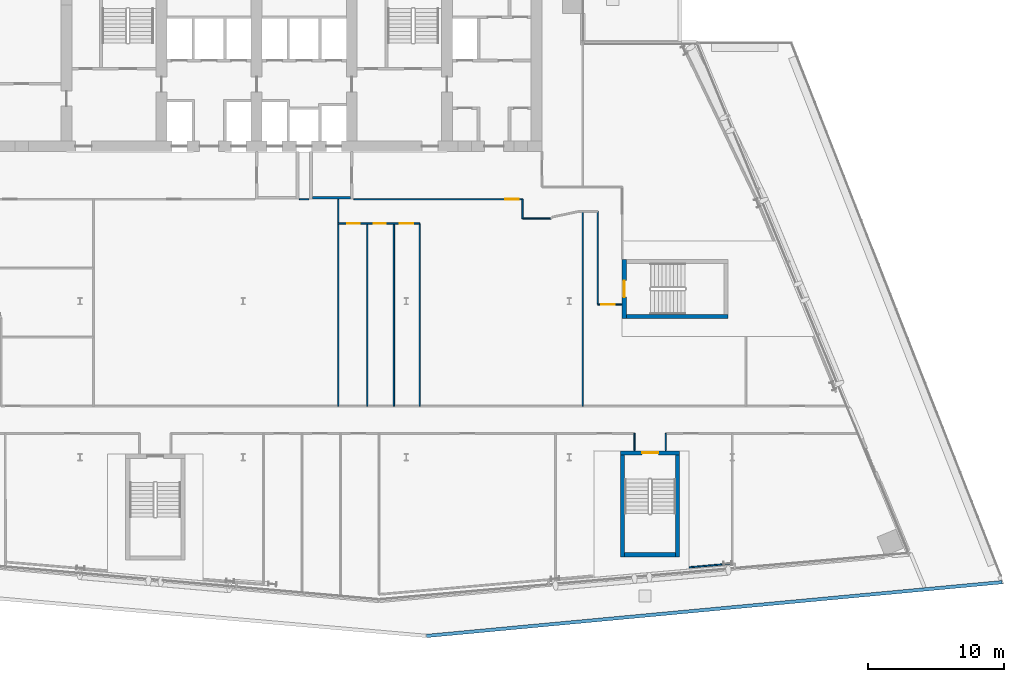
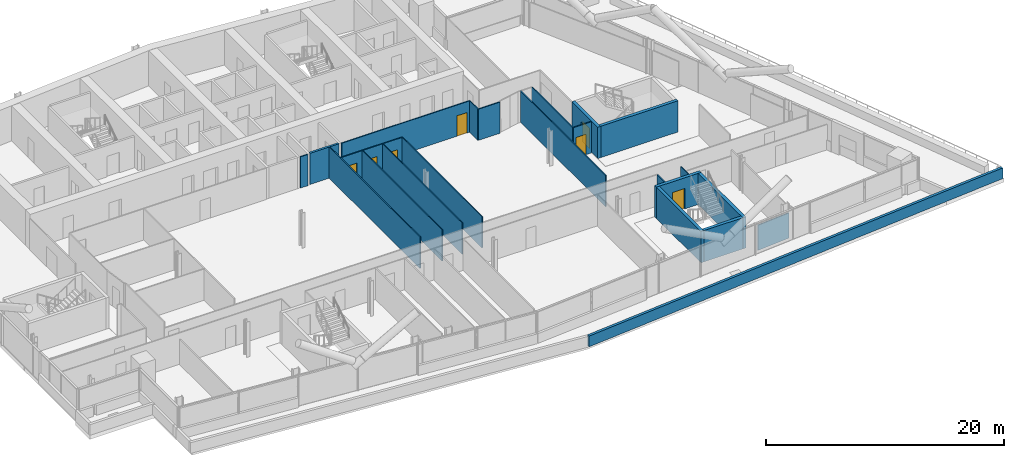
# One storey, part 18 of 30: 23 walls, 7 doors, 7 openings.
"""IFC4 building model written with IfcOpenShell, lengths in metres."""

from ifc_helpers import new_model, si_unit, direction, frame, frame_2d, origin, place, context, subcontext, project, spatial, rectangle, extrude, material, layer, layer_set, type_object, element, fill, save


model = new_model("IFC4")

# Units and contexts
model_context = context("Model", 3, precision=1e-05, world=origin(), true_north=direction((0.0, 1.0)))
body_context = subcontext(model_context, "Body", "Model", "MODEL_VIEW")
ifc_project = project(units=[si_unit("LENGTHUNIT", "METRE"), si_unit("AREAUNIT", "SQUARE_METRE"), si_unit("VOLUMEUNIT", "CUBIC_METRE"), si_unit("PLANEANGLEUNIT", "RADIAN"), si_unit("MASSUNIT", "GRAM", prefix="KILO")], contexts=[model_context])

# Site, building, storey
site_placement = place(None, origin())
site = spatial("IfcSite", under=ifc_project, at=site_placement, CompositionType="ELEMENT")
building_placement = place(site_placement, origin())
building = spatial("IfcBuilding", under=site, at=building_placement, Name="Wharfspan Tower", CompositionType="ELEMENT")
storey_placement = place(building_placement, frame((0.0, 0.0, 151.899902)))
storey = spatial("IfcBuildingStorey", under=building, at=storey_placement, Name="L36", CompositionType="ELEMENT", Elevation=151.899902)

# Walls
ifc_material_1 = material(Name="Gypsum board on steel studs", Category="steel")
ifc_layer_1 = layer(ifc_material_1, 0.100098)
ifc_layer_set_1 = layer_set([ifc_layer_1], Name="Gypsum board on steel studs")
wall_type_1 = type_object("IfcWallType", Name="Compartment wall 100 EI 60", PredefinedType="PARTITIONING", material=ifc_layer_set_1)
wall_1_placement = place(storey_placement, frame((43.0, 15.27002, 0.0), z_axis=(0.0, 0.0, 1.0), x_axis=(0.0, 1.0, 0.0)))
element("IfcWall", 1, at=wall_1_placement, inside=storey, type_object=wall_type_1, Name="Partition L36.w029", PredefinedType="PARTITIONING", context=body_context, shape_type="SweptSolid", body=[
    extrude(rectangle(XDim=15.219971, YDim=0.100098, at=frame_2d((7.609863, 0.0))), origin(), (0.0, 0.0, 1.0), 3.200195),
])
for number, where, z_axis, x_axis, name in (
    (2, (45.139893, 15.27002, 0.0), (0.0, 0.0, 1.0), (0.0, 1.0, 0.0), "Partition L36.w032"),
    (3, (47.100098, 15.27002, 0.0), (0.0, 0.0, 1.0), (0.0, 1.0, 0.0), "Partition L36.w035"),
    (4, (49.0, 15.27002, 0.0), (0.0, 0.0, 1.0), (0.0, 1.0, 0.0), "Partition L36.w036"),
):
    element("IfcWall", number, at=place(storey_placement, frame(where, z_axis=z_axis, x_axis=x_axis)), inside=storey, type_object=wall_type_1, Name=name, PredefinedType="PARTITIONING", context=body_context, shape_type="SweptSolid", body=[
        extrude(rectangle(XDim=13.429932, YDim=0.100098, at=frame_2d((6.714844, 0.0))), origin(), (0.0, 0.0, 1.0), 3.200195),
    ])
wall_2_placement = place(storey_placement, frame((56.574951, 29.074951, 0.0), z_axis=(0.0, 0.0, 1.0), x_axis=(0.0, 1.0, 0.0)))
element("IfcWall", 5, at=wall_2_placement, inside=storey, type_object=wall_type_1, Name="Partition L36.w037", PredefinedType="PARTITIONING", context=body_context, shape_type="SweptSolid", body=[
    extrude(rectangle(XDim=1.425049, YDim=0.100098, at=frame_2d((0.712402, 0.0))), origin(), (0.0, 0.0, 1.0), 3.200195),
])
wall_3_placement = place(storey_placement, frame((56.574951, 29.074951, 0.0), z_axis=(0.0, 0.0, 1.0), x_axis=(1.0, 0.0, 0.0)))
element("IfcWall", 6, at=wall_3_placement, inside=storey, type_object=wall_type_1, Name="Partition L36.w038", PredefinedType="PARTITIONING", context=body_context, shape_type="SweptSolid", body=[
    extrude(rectangle(XDim=2.080078, YDim=0.100098, at=frame_2d((1.040039, 0.0))), origin(), (0.0, 0.0, 1.0), 3.200195),
])
wall_4_placement = place(storey_placement, frame((61.0, 15.27002, 0.0), z_axis=(0.0, 0.0, 1.0), x_axis=(0.0, 1.0, 0.0)))
element("IfcWall", 7, at=wall_4_placement, inside=storey, type_object=wall_type_1, Name="Partition L36.w047", PredefinedType="PARTITIONING", context=body_context, shape_type="SweptSolid", body=[
    extrude(rectangle(XDim=14.330078, YDim=0.100098, at=frame_2d((7.165039, 0.0))), origin(), (0.0, 0.0, 1.0), 3.200195),
])
wall_5_placement = place(storey_placement, frame((62.10498, 22.75, 0.0), z_axis=(0.0, 0.0, 1.0), x_axis=(0.0, 1.0, 0.0)))
element("IfcWall", 8, at=wall_5_placement, inside=storey, type_object=wall_type_1, Name="Partition L36.w049", PredefinedType="PARTITIONING", context=body_context, shape_type="SweptSolid", body=[
    extrude(rectangle(XDim=6.850098, YDim=0.100098, at=frame_2d((3.425049, 0.0))), origin(), (0.0, 0.0, 1.0), 3.200195),
])

# Wall, opening, door
wall_6_placement = place(storey_placement, frame((62.10498, 22.75, 0.0), z_axis=(0.0, 0.0, 1.0), x_axis=(1.0, 0.0, 0.0)))
wall_6 = element("IfcWall", 9, at=wall_6_placement, inside=storey, type_object=wall_type_1, Name="Partition L36.w050", PredefinedType="PARTITIONING", context=body_context, shape_type="SweptSolid", body=[
    extrude(rectangle(XDim=1.779541, YDim=0.100098, at=frame_2d((0.889648, 0.0))), origin(), (0.0, 0.0, 1.0), 3.200195),
])
opening_1_placement = place(wall_6_placement, frame((0.25, 0.0, 0.0)))
opening_1 = element("IfcOpeningElement", 10, at=opening_1_placement, cuts=wall_6, Name="Opening C1-14", PredefinedType="OPENING", context=body_context, shape_type="SweptSolid", body=[
    extrude(rectangle(XDim=1.0, YDim=2.100098, at=frame_2d((0.5, 1.050049))), frame((0.0, 0.060059, 0.0), z_axis=(0.0, -1.0, 0.0), x_axis=(1.0, 0.0, 0.0)), (0.0, 0.0, 1.0), 0.120117),
])
ifc_material_2 = material(Name="Fire-rated timber door leaf in steel frame", Category="steel")
door_type_1 = type_object("IfcDoorType", Name="Door 1000 FD30S Left", OperationType="SINGLE_SWING_LEFT", PredefinedType="DOOR", material=ifc_material_2)
door_1_placement = place(opening_1_placement, origin())
door_1 = element("IfcDoor", 11, at=door_1_placement, inside=storey, type_object=door_type_1, Name="Door C1-14", OperationType="SINGLE_SWING_LEFT", OverallHeight=2.100098, OverallWidth=1.0, PredefinedType="DOOR", context=body_context, shape_type="SweptSolid", body=[
    extrude(rectangle(XDim=1.0, YDim=2.100098, at=frame_2d((0.5, 1.050049))), frame((0.0, 0.024902, 0.0), z_axis=(0.0, -1.0, 0.0), x_axis=(1.0, 0.0, 0.0)), (0.0, 0.0, 1.0), 0.050049),
])
fill(opening_1, door_1)

# Walls
for number, where, z_axis, x_axis, name in (
    (12, (64.810059, 12.003662, 0.0), (0.0, 0.0, 1.0), (0.0, 1.0, 0.0), "Partition L36.w052"),
    (13, (67.110107, 12.003662, 0.0), (0.0, 0.0, 1.0), (0.0, 1.0, 0.0), "Partition L36.w053"),
):
    element("IfcWall", number, at=place(storey_placement, frame(where, z_axis=z_axis, x_axis=x_axis)), inside=storey, type_object=wall_type_1, Name=name, PredefinedType="PARTITIONING", context=body_context, shape_type="SweptSolid", body=[
        extrude(rectangle(XDim=1.26123, YDim=0.100098, at=frame_2d((0.630615, 0.0))), origin(), (0.0, 0.0, 1.0), 3.200195),
    ])
wall_7_placement = place(storey_placement, frame((40.149902, 30.5, 0.0), z_axis=(0.0, 0.0, 1.0), x_axis=(1.0, 0.0, 0.0)))
element("IfcWall", 14, at=wall_7_placement, inside=storey, type_object=wall_type_1, Name="Partition L36.w011 (2)", PredefinedType="PARTITIONING", context=body_context, shape_type="SweptSolid", body=[
    extrude(rectangle(XDim=0.700195, YDim=0.100098, at=frame_2d((0.350098, 0.0))), origin(), (0.0, 0.0, 1.0), 3.200195),
])

# Wall, opening, door
wall_8_placement = place(storey_placement, frame((44.149902, 30.5, 0.0), z_axis=(0.0, 0.0, 1.0), x_axis=(1.0, 0.0, 0.0)))
wall_8 = element("IfcWall", 15, at=wall_8_placement, inside=storey, type_object=wall_type_1, Name="Partition L36.w011 (3)", PredefinedType="PARTITIONING", context=body_context, shape_type="SweptSolid", body=[
    extrude(rectangle(XDim=12.425049, YDim=0.100098, at=frame_2d((6.212402, 0.0))), origin(), (0.0, 0.0, 1.0), 3.200195),
])
opening_2_placement = place(wall_8_placement, frame((11.149902, 0.0, 0.0)))
opening_2 = element("IfcOpeningElement", 16, at=opening_2_placement, cuts=wall_8, Name="Opening C1-23", PredefinedType="OPENING", context=body_context, shape_type="SweptSolid", body=[
    extrude(rectangle(XDim=1.0, YDim=2.100098, at=frame_2d((0.5, 1.050049))), frame((0.0, 0.060059, 0.0), z_axis=(0.0, -1.0, 0.0), x_axis=(1.0, 0.0, 0.0)), (0.0, 0.0, 1.0), 0.120117),
])
door_type_2 = type_object("IfcDoorType", Name="Door 1000 FD30S Right", OperationType="SINGLE_SWING_RIGHT", PredefinedType="DOOR", material=ifc_material_2)
door_2_placement = place(opening_2_placement, origin())
door_2 = element("IfcDoor", 17, at=door_2_placement, inside=storey, type_object=door_type_2, Name="Door C1-23", OperationType="SINGLE_SWING_RIGHT", OverallHeight=2.100098, OverallWidth=1.0, PredefinedType="DOOR", context=body_context, shape_type="SweptSolid", body=[
    extrude(rectangle(XDim=1.0, YDim=2.100098, at=frame_2d((0.5, 1.050049))), frame((0.0, 0.024902, 0.0), z_axis=(0.0, -1.0, 0.0), x_axis=(1.0, 0.0, 0.0)), (0.0, 0.0, 1.0), 0.050049),
])
fill(opening_2, door_2)

# Walls
ifc_material_3 = material(Name="Concrete C30/37", Category="concrete")
ifc_layer_2 = layer(ifc_material_3, 0.199951)
ifc_layer_set_2 = layer_set([ifc_layer_2], Name="Concrete C30/37")
wall_type_2 = type_object("IfcWallType", Name="Lobby wall 200", PredefinedType="PARTITIONING", material=ifc_layer_set_2)
wall_9_placement = place(storey_placement, frame((41.100098, 30.600098, 0.0), z_axis=(0.0, 0.0, 1.0), x_axis=(1.0, 0.0, 0.0)))
element("IfcWall", 18, at=wall_9_placement, inside=storey, type_object=wall_type_2, Name="sw:L36:FLFF2F", PredefinedType="PARTITIONING", context=body_context, shape_type="SweptSolid", body=[
    extrude(rectangle(XDim=2.799805, YDim=0.199951, at=frame_2d((1.399902, 0.0))), origin(), (0.0, 0.0, 1.0), 3.200195),
])
ifc_material_4 = material(Name="Concrete C40/50", Category="concrete")
ifc_layer_3 = layer(ifc_material_4, 0.25)
ifc_layer_set_3 = layer_set([ifc_layer_3], Name="Concrete C40/50")
wall_type_3 = type_object("IfcWallType", Name="PARAPET CONCRETE 250", PredefinedType="PARAPET", material=ifc_layer_set_3)
wall_10_placement = place(storey_placement, frame((91.864746, 2.312988, 0.0), z_axis=(0.0, 0.0, 1.0), x_axis=(-0.995663, -0.092993, 0.0)))
element("IfcWall", 19, at=wall_10_placement, inside=storey, type_object=wall_type_3, Name="Ledge parapet", PredefinedType="PARAPET", context=body_context, shape_type="SweptSolid", body=[
    extrude(rectangle(XDim=42.549072, YDim=0.25, at=frame_2d((21.274414, 0.0))), origin(), (0.0, 0.0, 1.0), 1.100098),
])

# Wall, openings, doors
ifc_layer_4 = layer(ifc_material_1, 0.100098)
ifc_layer_set_4 = layer_set([ifc_layer_4], Name="Gypsum board on steel studs")
wall_type_4 = type_object("IfcWallType", Name="Partition 100", PredefinedType="PARTITIONING", material=ifc_layer_set_4)
wall_11_placement = place(storey_placement, frame((43.0, 28.699951, 0.0), z_axis=(0.0, 0.0, 1.0), x_axis=(1.0, 0.0, 0.0)))
wall_11 = element("IfcWall", 20, at=wall_11_placement, inside=storey, type_object=wall_type_4, Name="Partition L36.w030", PredefinedType="PARTITIONING", context=body_context, shape_type="SweptSolid", body=[
    extrude(rectangle(XDim=6.0, YDim=0.100098, at=frame_2d((3.0, 0.0))), origin(), (0.0, 0.0, 1.0), 3.200195),
])
opening_3_placement = place(wall_11_placement, frame((0.669922, 0.0, 0.0)))
opening_3 = element("IfcOpeningElement", 21, at=opening_3_placement, cuts=wall_11, Name="Opening C1-16", PredefinedType="OPENING", context=body_context, shape_type="SweptSolid", body=[
    extrude(rectangle(XDim=0.899902, YDim=2.100098, at=frame_2d((0.449951, 1.050049))), frame((0.0, 0.060059, 0.0), z_axis=(0.0, -1.0, 0.0), x_axis=(1.0, 0.0, 0.0)), (0.0, 0.0, 1.0), 0.120117),
])
opening_4_placement = place(wall_11_placement, frame((2.610107, 0.0, 0.0)))
opening_4 = element("IfcOpeningElement", 22, at=opening_4_placement, cuts=wall_11, Name="Opening C1-17", PredefinedType="OPENING", context=body_context, shape_type="SweptSolid", body=[
    extrude(rectangle(XDim=0.899902, YDim=2.100098, at=frame_2d((0.449951, 1.050049))), frame((0.0, 0.060059, 0.0), z_axis=(0.0, -1.0, 0.0), x_axis=(1.0, 0.0, 0.0)), (0.0, 0.0, 1.0), 0.120117),
])
opening_5_placement = place(wall_11_placement, frame((4.52002, 0.0, 0.0)))
opening_5 = element("IfcOpeningElement", 23, at=opening_5_placement, cuts=wall_11, Name="Opening C1-18", PredefinedType="OPENING", context=body_context, shape_type="SweptSolid", body=[
    extrude(rectangle(XDim=1.0, YDim=2.100098, at=frame_2d((0.5, 1.050049))), frame((0.0, 0.060059, 0.0), z_axis=(0.0, -1.0, 0.0), x_axis=(1.0, 0.0, 0.0)), (0.0, 0.0, 1.0), 0.120117),
])
ifc_material_5 = material(Name="Timber door leaf in steel frame", Category="steel")
door_type_3 = type_object("IfcDoorType", Name="Door 1000 NOT RATED Right", OperationType="SINGLE_SWING_RIGHT", PredefinedType="DOOR", material=ifc_material_5)
door_3_placement = place(opening_5_placement, origin())
door_3 = element("IfcDoor", 24, at=door_3_placement, inside=storey, type_object=door_type_3, Name="Door C1-18", OperationType="SINGLE_SWING_RIGHT", OverallHeight=2.100098, OverallWidth=1.0, PredefinedType="DOOR", context=body_context, shape_type="SweptSolid", body=[
    extrude(rectangle(XDim=1.0, YDim=2.100098, at=frame_2d((0.5, 1.050049))), frame((0.0, 0.024902, 0.0), z_axis=(0.0, -1.0, 0.0), x_axis=(1.0, 0.0, 0.0)), (0.0, 0.0, 1.0), 0.050049),
])
fill(opening_5, door_3)
door_type_4 = type_object("IfcDoorType", Name="Door 900 NOT RATED Left", OperationType="SINGLE_SWING_LEFT", PredefinedType="DOOR", material=ifc_material_5)
door_4_placement = place(opening_3_placement, origin())
door_4 = element("IfcDoor", 25, at=door_4_placement, inside=storey, type_object=door_type_4, Name="Door C1-16", OperationType="SINGLE_SWING_LEFT", OverallHeight=2.100098, OverallWidth=0.899902, PredefinedType="DOOR", context=body_context, shape_type="SweptSolid", body=[
    extrude(rectangle(XDim=0.899902, YDim=2.100098, at=frame_2d((0.449951, 1.050049))), frame((0.0, 0.024902, 0.0), z_axis=(0.0, -1.0, 0.0), x_axis=(1.0, 0.0, 0.0)), (0.0, 0.0, 1.0), 0.050049),
])
fill(opening_3, door_4)
door_type_5 = type_object("IfcDoorType", Name="Door 900 NOT RATED Right", OperationType="SINGLE_SWING_RIGHT", PredefinedType="DOOR", material=ifc_material_5)
door_5_placement = place(opening_4_placement, origin())
door_5 = element("IfcDoor", 26, at=door_5_placement, inside=storey, type_object=door_type_5, Name="Door C1-17", OperationType="SINGLE_SWING_RIGHT", OverallHeight=2.100098, OverallWidth=0.899902, PredefinedType="DOOR", context=body_context, shape_type="SweptSolid", body=[
    extrude(rectangle(XDim=0.899902, YDim=2.100098, at=frame_2d((0.449951, 1.050049))), frame((0.0, 0.024902, 0.0), z_axis=(0.0, -1.0, 0.0), x_axis=(1.0, 0.0, 0.0)), (0.0, 0.0, 1.0), 0.050049),
])
fill(opening_4, door_5)

# Wall
wall_12_placement = place(storey_placement, frame((68.831299, 3.406738, 0.0), z_axis=(0.0, 0.0, 1.0), x_axis=(0.996308, 0.085898, 0.0)))
element("IfcWall", 27, at=wall_12_placement, inside=storey, type_object=wall_type_4, Name="Partition L36.w055", PredefinedType="PARTITIONING", context=body_context, shape_type="SweptSolid", body=[
    extrude(rectangle(XDim=3.18042, YDim=0.100098, at=frame_2d((1.590332, 0.0))), origin(), (0.0, 0.0, 1.0), 2.580078),
])

# Wall, opening, door
ifc_layer_5 = layer(ifc_material_4, 0.300049)
ifc_layer_set_5 = layer_set([ifc_layer_5], Name="Concrete C40/50")
wall_type_5 = type_object("IfcWallType", Name="Stair core wall 300", PredefinedType="SHEAR", material=ifc_layer_set_5)
wall_13_placement = place(storey_placement, frame((63.786377, 11.83374, 0.0), z_axis=(0.0, 0.0, 1.0), x_axis=(1.0, 0.0, 0.0)))
wall_13 = element("IfcWall", 28, at=wall_13_placement, inside=storey, type_object=wall_type_5, Name="ST5 stair enclosure wall L36", PredefinedType="SHEAR", context=body_context, shape_type="SweptSolid", body=[
    extrude(rectangle(XDim=4.350098, YDim=0.300049, at=frame_2d((2.175049, 0.0))), origin(), (0.0, 0.0, 1.0), 3.200195),
])
opening_6_placement = place(wall_13_placement, frame((1.574951, 0.0, 0.0)))
opening_6 = element("IfcOpeningElement", 29, at=opening_6_placement, cuts=wall_13, Name="Opening SD5.L36", PredefinedType="OPENING", context=body_context, shape_type="SweptSolid", body=[
    extrude(rectangle(XDim=1.199951, YDim=2.100098, at=frame_2d((0.600098, 1.050049))), frame((0.0, 0.159912, 0.0), z_axis=(0.0, -1.0, 0.0), x_axis=(1.0, 0.0, 0.0)), (0.0, 0.0, 1.0), 0.320068),
])
ifc_material_6 = material(Name="Steel door leaf", Category="steel")
door_type_6 = type_object("IfcDoorType", Name="Stair door 1200x2100", OperationType="SINGLE_SWING_LEFT", PredefinedType="DOOR", material=ifc_material_6)
door_6_placement = place(opening_6_placement, origin())
door_6 = element("IfcDoor", 30, at=door_6_placement, inside=storey, type_object=door_type_6, Name="sd:L36:ST5z3", OperationType="SINGLE_SWING_RIGHT", OverallHeight=2.100098, OverallWidth=1.199951, PredefinedType="DOOR", context=body_context, shape_type="SweptSolid", body=[
    extrude(rectangle(XDim=1.199951, YDim=2.100098, at=frame_2d((0.600098, 1.050049))), frame((0.0, 0.024902, 0.0), z_axis=(0.0, -1.0, 0.0), x_axis=(1.0, 0.0, 0.0)), (0.0, 0.0, 1.0), 0.050049),
])
fill(opening_6, door_6)

wall_14_placement = place(storey_placement, frame((64.054688, 21.725098, 0.0), z_axis=(0.0, 0.0, 1.0), x_axis=(0.0, 1.0, 0.0)))
wall_14 = element("IfcWall", 31, at=wall_14_placement, inside=storey, type_object=wall_type_5, Name="ST6 stair enclosure wall L36", PredefinedType="SHEAR", context=body_context, shape_type="SweptSolid", body=[
    extrude(rectangle(XDim=4.349854, YDim=0.300049, at=frame_2d((2.174805, 0.0))), origin(), (0.0, 0.0, 1.0), 3.200195),
])
opening_7_placement = place(wall_14_placement, frame((1.574951, 0.0, 0.0)))
opening_7 = element("IfcOpeningElement", 32, at=opening_7_placement, cuts=wall_14, Name="Opening SD6.L36", PredefinedType="OPENING", context=body_context, shape_type="SweptSolid", body=[
    extrude(rectangle(XDim=1.199951, YDim=2.100098, at=frame_2d((0.600098, 1.050049))), frame((0.0, 0.159912, 0.0), z_axis=(0.0, -1.0, 0.0), x_axis=(1.0, 0.0, 0.0)), (0.0, 0.0, 1.0), 0.320068),
])
door_7_placement = place(opening_7_placement, origin())
door_7 = element("IfcDoor", 33, at=door_7_placement, inside=storey, type_object=door_type_6, Name="sd:L36:ST6z3", OperationType="SINGLE_SWING_RIGHT", OverallHeight=2.100098, OverallWidth=1.199951, PredefinedType="DOOR", context=body_context, shape_type="SweptSolid", body=[
    extrude(rectangle(XDim=1.199951, YDim=2.100098, at=frame_2d((0.600098, 1.050049))), frame((0.0, 0.024902, 0.0), z_axis=(0.0, -1.0, 0.0), x_axis=(1.0, 0.0, 0.0)), (0.0, 0.0, 1.0), 0.050049),
])
fill(opening_7, door_7)

# Walls
for number, where, z_axis, x_axis, name in (
    (34, (63.936279, 4.183594, 0.0), (0.0, 0.0, 1.0), (0.0, 1.0, 0.0), "ST5 stair enclosure wall L36"),
    (35, (67.986328, 4.183594, 0.0), (0.0, 0.0, 1.0), (0.0, 1.0, 0.0), "ST5 stair enclosure wall L36"),
):
    element("IfcWall", number, at=place(storey_placement, frame(where, z_axis=z_axis, x_axis=x_axis)), inside=storey, type_object=wall_type_5, Name=name, PredefinedType="SHEAR", context=body_context, shape_type="SweptSolid", body=[
        extrude(rectangle(XDim=7.5, YDim=0.300049, at=frame_2d((3.75, 0.0))), origin(), (0.0, 0.0, 1.0), 3.200195),
    ])
wall_15_placement = place(storey_placement, frame((64.086426, 4.33374, 0.0), z_axis=(0.0, 0.0, 1.0), x_axis=(1.0, 0.0, 0.0)))
element("IfcWall", 36, at=wall_15_placement, inside=storey, type_object=wall_type_5, Name="ST5 stair enclosure wall L36", PredefinedType="SHEAR", context=body_context, shape_type="SweptSolid", body=[
    extrude(rectangle(XDim=3.75, YDim=0.300049, at=frame_2d((1.875, 0.0))), origin(), (0.0, 0.0, 1.0), 3.200195),
])
wall_16_placement = place(storey_placement, frame((64.20459, 21.875, 0.0), z_axis=(0.0, 0.0, 1.0), x_axis=(1.0, 0.0, 0.0)))
element("IfcWall", 37, at=wall_16_placement, inside=storey, type_object=wall_type_5, Name="ST6 stair enclosure wall L36", PredefinedType="SHEAR", context=body_context, shape_type="SweptSolid", body=[
    extrude(rectangle(XDim=7.5, YDim=0.300049, at=frame_2d((3.75, 0.0))), origin(), (0.0, 0.0, 1.0), 3.200195),
])

save(model, "model.ifc")
